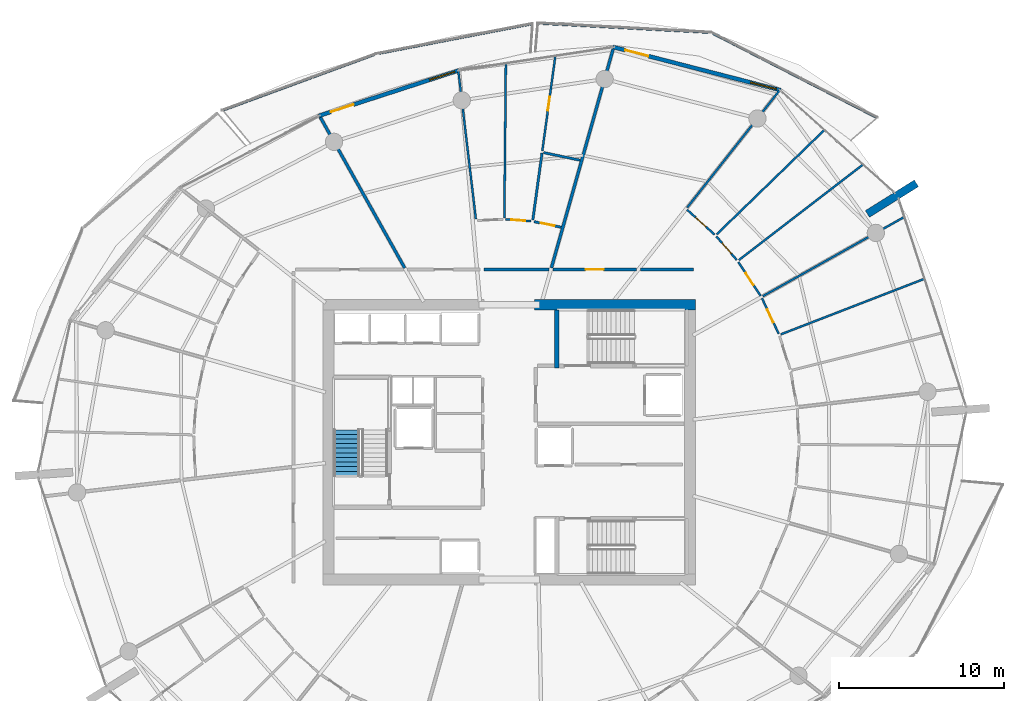
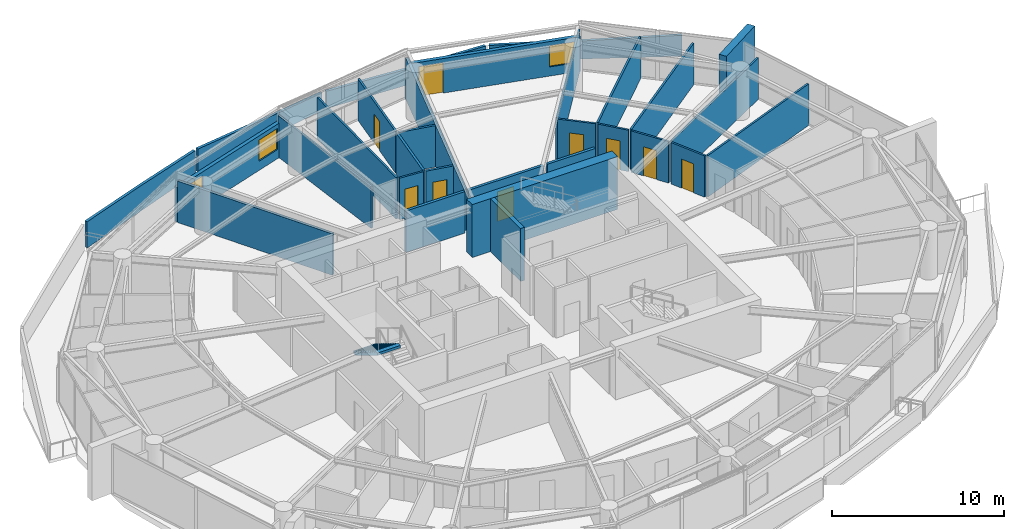
# One storey, part 15 of 21: 30 walls, 10 doors, 2 windows, 1 stair flight, 12 openings, 1 element without a shape of its own.
"""IFC4 building model written with IfcOpenShell, lengths in metres."""

from ifc_helpers import new_model, si_unit, direction, frame, frame_2d, origin, place, context, subcontext, project, spatial, polyline, rectangle, outline, extrude, material, layer, layer_set, type_object, element, fill, aggregate, save


model = new_model("IFC4")

# Units and contexts
model_context = context("Model", 3, precision=1e-05, world=origin(), true_north=direction((0.0, 1.0)))
body_context = subcontext(model_context, "Body", "Model", "MODEL_VIEW")
ifc_project = project(units=[si_unit("LENGTHUNIT", "METRE"), si_unit("AREAUNIT", "SQUARE_METRE"), si_unit("VOLUMEUNIT", "CUBIC_METRE"), si_unit("PLANEANGLEUNIT", "RADIAN"), si_unit("MASSUNIT", "GRAM", prefix="KILO")], contexts=[model_context])

# Site, building, storey
site_placement = place(None, origin())
site = spatial("IfcSite", under=ifc_project, at=site_placement, CompositionType="ELEMENT")
building_placement = place(site_placement, origin())
building = spatial("IfcBuilding", under=site, at=building_placement, Name="Kazma Halo Residences", CompositionType="ELEMENT")
storey_placement = place(building_placement, frame((0.0, 0.0, 176.550048828125)))
storey = spatial("IfcBuildingStorey", under=building, at=storey_placement, Name="L44", CompositionType="ELEMENT", Elevation=176.550048828125)

# Walls
ifc_material_1 = material(Name="White Concrete C50/60 Balustrade", Category="concrete")
ifc_layer_1 = layer(ifc_material_1, 0.179931640625)
ifc_layer_set_1 = layer_set([ifc_layer_1], Name="White Concrete C50/60 Balustrade")
wall_type_1 = type_object("IfcWallType", Name="WL-BAL-WAVE-180", PredefinedType="PARAPET", material=ifc_layer_set_1)
wall_1_placement = place(storey_placement, frame((70.725830078125, 61.65087890625, 0.0), z_axis=(0.0, 0.0, 1.0), x_axis=(-0.889659107665, 0.456625308266, 0.0)))
element("IfcWall", 1, at=wall_1_placement, inside=storey, type_object=wall_type_1, Name="L44 white wave balustrade wall NE.1", PredefinedType="PARAPET", context=body_context, shape_type="SweptSolid", body=[
    extrude(outline(polyline([(0.0, 0.0), (11.20751953125, 0.0), (11.20751953125, 1.14794921875), (5.603759765625, 1.283935546875), (0.0, 1.48291015625), (0.0, 0.0)])), frame((0.0, 0.08984375, 0.0), z_axis=(0.0, -1.0, 0.0), x_axis=(1.0, 0.0, 0.0)), (0.0, 0.0, 1.0), 0.179931640625),
])
wall_2_placement = place(storey_placement, frame((60.5283203125, 66.82958984375, 0.0), z_axis=(0.0, 0.0, 1.0), x_axis=(-0.998572477619, 0.053413546421, 0.0)))
element("IfcWall", 2, at=wall_2_placement, inside=storey, type_object=wall_type_1, Name="L44 white wave balustrade wall NE.2", PredefinedType="PARAPET", context=body_context, shape_type="SweptSolid", body=[
    extrude(outline(polyline([(0.0, 0.0), (10.389404296875, 0.0), (10.38916015625, 1.223876953125), (5.194580078125, 1.126953125), (0.0, 1.14794921875), (0.0, 0.0)])), frame((0.0, 0.08984375, 0.0), z_axis=(0.0, -1.0, 0.0), x_axis=(1.0, 0.0, 0.0)), (0.0, 0.0, 1.0), 0.179931640625),
])
wall_3_placement = place(storey_placement, frame((49.83935546875, 67.351318359375, 0.0), z_axis=(0.0, 0.0, 1.0), x_axis=(-0.981918699124, -0.189303112259, 0.0)))
element("IfcWall", 3, at=wall_3_placement, inside=storey, type_object=wall_type_1, Name="L44 white wave balustrade wall NNW.1", PredefinedType="PARAPET", context=body_context, shape_type="SweptSolid", body=[
    extrude(outline(polyline([(0.0, 0.0), (9.537109375, 0.0), (9.537109375, 1.6318359375), (4.7685546875, 1.41796875), (0.0, 1.23291015625), (0.0, 0.0)])), frame((0.0, 0.08984375, 0.0), z_axis=(0.0, -1.0, 0.0), x_axis=(1.0, 0.0, 0.0)), (0.0, 0.0, 1.0), 0.179931640625),
])
wall_4_placement = place(storey_placement, frame((40.244384765625, 65.481689453125, 0.0), z_axis=(0.0, 0.0, 1.0), x_axis=(-0.938669265972, -0.344818806214, 0.0)))
element("IfcWall", 4, at=wall_4_placement, inside=storey, type_object=wall_type_1, Name="L44 white wave balustrade wall NNW.2", PredefinedType="PARAPET", context=body_context, shape_type="SweptSolid", body=[
    extrude(outline(polyline([(0.0, 0.0), (9.802734375, 0.0), (9.802490234375, 1.85986328125), (4.9013671875, 1.7978515625), (0.0, 1.6318359375), (0.0, 0.0)])), frame((0.0, 0.08984375, 0.0), z_axis=(0.0, -1.0, 0.0), x_axis=(1.0, 0.0, 0.0)), (0.0, 0.0, 1.0), 0.179931640625),
])
ifc_material_2 = material(Name="Pale Concrete C60/75", Category="concrete")
ifc_layer_2 = layer(ifc_material_2, 0.47998046875)
ifc_layer_set_2 = layer_set([ifc_layer_2], Name="Pale Concrete C60/75")
wall_type_2 = type_object("IfcWallType", Name="WL-BLADE-480", PredefinedType="SOLIDWALL", material=ifc_layer_set_2)
wall_5_placement = place(storey_placement, frame((70.11376953125, 55.818115234375, 0.0), z_axis=(0.0, 0.0, 1.0), x_axis=(0.848033572426, 0.529942506352, 0.0)))
element("IfcWall", 5, at=wall_5_placement, inside=storey, type_object=wall_type_2, Name="L44 pale concrete structural blade fin wall BW-01", PredefinedType="SOLIDWALL", context=body_context, shape_type="SweptSolid", body=[
    extrude(rectangle(XDim=3.5, YDim=0.47998046875, at=frame_2d((1.75, 0.0))), origin(), (0.0, 0.0, 1.0), 3.75),
])
ifc_material_3 = material(Name="Concrete C60/75", Category="concrete")
ifc_layer_3 = layer(ifc_material_3, 0.64990234375)
ifc_layer_set_3 = layer_set([ifc_layer_3], Name="Concrete C60/75")
wall_type_3 = type_object("IfcWallType", Name="WL-CORE-650", PredefinedType="SHEAR", material=ifc_layer_set_3)
wall_6_placement = place(storey_placement, frame((49.949951171875, 50.324951171875, 0.0), z_axis=(0.0, 0.0, 1.0), x_axis=(1.0, 0.0, 0.0)))
element("IfcWall", 6, at=wall_6_placement, inside=storey, type_object=wall_type_3, Name="L44 central core shear wall NE", PredefinedType="SHEAR", context=body_context, shape_type="SweptSolid", body=[
    extrude(rectangle(XDim=9.75, YDim=0.64990234375, at=frame_2d((4.875, 0.0))), origin(), (0.0, 0.0, 1.0), 3.75),
])
ifc_layer_4 = layer(ifc_material_3, 0.280029296875)
ifc_layer_set_4 = layer_set([ifc_layer_4], Name="Concrete C60/75")
wall_type_4 = type_object("IfcWallType", Name="WL-CORE-ST-280", PredefinedType="SHEAR", material=ifc_layer_set_4)
wall_7_placement = place(storey_placement, frame((51.31005859375, 46.5, 0.0), z_axis=(0.0, 0.0, 1.0), x_axis=(0.0, 1.0, 0.0)))
element("IfcWall", 7, at=wall_7_placement, inside=storey, type_object=wall_type_4, Name="L44 stairwell bearing wall ST02-W", PredefinedType="SHEAR", context=body_context, shape_type="SweptSolid", body=[
    extrude(rectangle(XDim=3.5, YDim=0.280029296875, at=frame_2d((1.75, 0.0))), origin(), (0.0, 0.0, 1.0), 3.75),
])
ifc_material_4 = material(Name="Acoustic Twin-Stud Gypsum")
ifc_layer_5 = layer(ifc_material_4, 0.179931640625)
ifc_layer_set_5 = layer_set([ifc_layer_5], Name="Acoustic Twin-Stud Gypsum")
wall_type_5 = type_object("IfcWallType", Name="WL-DEM-180", PredefinedType="PARTITIONING", material=ifc_layer_set_5)
wall_8_placement = place(storey_placement, frame((50.97705078125, 52.555908203125, 0.0), z_axis=(0.0, 0.0, 1.0), x_axis=(0.271443307373, 0.962454430548, 0.0)))
element("IfcWall", 8, at=wall_8_placement, inside=storey, type_object=wall_type_5, Name="L44 apartment demising radial wall 02", PredefinedType="PARTITIONING", context=body_context, shape_type="SweptSolid", body=[
    extrude(rectangle(XDim=13.75927734375, YDim=0.179931640625, at=frame_2d((6.879638671875, 0.0))), origin(), (0.0, 0.0, 1.0), 2.93994140625),
])
wall_9_placement = place(storey_placement, frame((42.093994140625, 52.5458984375, 0.0), z_axis=(0.0, 0.0, 1.0), x_axis=(-0.488614041717, 0.872500039104, 0.0)))
element("IfcWall", 9, at=wall_9_placement, inside=storey, type_object=wall_type_5, Name="L44 apartment demising radial wall 04", PredefinedType="PARTITIONING", context=body_context, shape_type="SweptSolid", body=[
    extrude(rectangle(XDim=10.448486328125, YDim=0.179931640625, at=frame_2d((5.22412109375, 0.0))), origin(), (0.0, 0.0, 1.0), 2.93994140625),
])
wall_10_placement = place(storey_placement, frame((50.8271484375, 52.449951171875, 0.0), z_axis=(0.0, 0.0, 1.0), x_axis=(-1.0, 0.0, 0.0)))
element("IfcWall", 10, at=wall_10_placement, inside=storey, type_object=wall_type_5, Name="L44 Apartment 1 inner wall 2", PredefinedType="PARTITIONING", context=body_context, shape_type="SweptSolid", body=[
    extrude(rectangle(XDim=3.94384765625, YDim=0.179931640625, at=frame_2d((1.971923828125, 0.0))), origin(), (0.0, 0.0, 1.0), 2.93994140625),
])

# Wall, opening, door
wall_11_placement = place(storey_placement, frame((56.1181640625, 52.449951171875, 0.0), z_axis=(0.0, 0.0, 1.0), x_axis=(-1.0, 0.0, 0.0)))
wall_11 = element("IfcWall", 11, at=wall_11_placement, inside=storey, type_object=wall_type_5, Name="L44 Apartment 4 entrance corridor wall", PredefinedType="PARTITIONING", context=body_context, shape_type="SweptSolid", body=[
    extrude(rectangle(XDim=5.051025390625, YDim=0.179931640625, at=frame_2d((2.525390625, 0.0))), origin(), (0.0, 0.0, 1.0), 2.93994140625),
])
opening_1_placement = place(wall_11_placement, frame((1.975341796875, 0.0, 0.0)))
opening_1 = element("IfcOpeningElement", 12, at=opening_1_placement, cuts=wall_11, Name="Opening DA-1100", PredefinedType="OPENING", context=body_context, shape_type="SweptSolid", body=[
    extrude(rectangle(XDim=1.10009765625, YDim=2.10009765625, at=frame_2d((0.550048828125, 1.050048828125))), frame((0.0, 0.099853515625, 0.0), z_axis=(0.0, -1.0, 0.0), x_axis=(1.0, 0.0, 0.0)), (0.0, 0.0, 1.0), 0.199951171875),
])
ifc_material_5 = material(Name="Acoustic Walnut Fire Leaf")
door_type_1 = type_object("IfcDoorType", Name="DR-FD60-1100", OperationType="NOTDEFINED", PredefinedType="DOOR", material=ifc_material_5)
door_1_placement = place(opening_1_placement, origin())
door_1 = element("IfcDoor", 13, at=door_1_placement, inside=storey, type_object=door_type_1, Name="L44 Apartment 4 entrance fire door", OperationType="SINGLE_SWING_LEFT", OverallHeight=2.10009765625, OverallWidth=1.10009765625, PredefinedType="DOOR", context=body_context, shape_type="SweptSolid", body=[
    extrude(rectangle(XDim=1.10009765625, YDim=2.10009765625, at=frame_2d((0.550048828125, 1.050048828125))), frame((0.0, 0.02490234375, 0.0), z_axis=(0.0, -1.0, 0.0), x_axis=(1.0, 0.0, 0.0)), (0.0, 0.0, 1.0), 0.050048828125),
])
fill(opening_1, door_1)

# Wall
wall_12_placement = place(storey_placement, frame((59.580078125, 52.449951171875, 0.0), z_axis=(0.0, 0.0, 1.0), x_axis=(-1.0, 0.0, 0.0)))
element("IfcWall", 14, at=wall_12_placement, inside=storey, type_object=wall_type_5, Name="L44 Apartment 4 inner wall 0", PredefinedType="PARTITIONING", context=body_context, shape_type="SweptSolid", body=[
    extrude(rectangle(XDim=3.221923828125, YDim=0.179931640625, at=frame_2d((1.61083984375, 0.0))), origin(), (0.0, 0.0, 1.0), 2.93994140625),
])

# Wall, openings, door, window
ifc_material_6 = material(Name="Insulated Pale-Metal Composite Wall")
ifc_layer_6 = layer(ifc_material_6, 0.239990234375)
ifc_layer_set_6 = layer_set([ifc_layer_6], Name="Insulated Pale-Metal Composite Wall")
wall_type_6 = type_object("IfcWallType", Name="WL-EXT-HOST-240", PredefinedType="SOLIDWALL", material=ifc_layer_set_6)
wall_13_placement = place(storey_placement, frame((64.860107421875, 63.31298828125, 0.0), z_axis=(0.0, 0.0, 1.0), x_axis=(-0.968374028006, 0.249502989727, 0.0)))
wall_13 = element("IfcWall", 15, at=wall_13_placement, inside=storey, type_object=wall_type_6, Name="L44 exterior terrace-access wall B02", PredefinedType="SOLIDWALL", context=body_context, shape_type="SweptSolid", body=[
    extrude(rectangle(XDim=10.494384765625, YDim=0.239990234375, at=frame_2d((5.2470703125, 0.0))), origin(), (0.0, 0.0, 1.0), 2.449951171875),
])
opening_2_placement = place(wall_13_placement, frame((8.2744140625, 0.0, 0.0)))
opening_2 = element("IfcOpeningElement", 16, at=opening_2_placement, cuts=wall_13, Name="Opening DTR-1600", PredefinedType="OPENING", context=body_context, shape_type="SweptSolid", body=[
    extrude(rectangle(XDim=1.449951171875, YDim=2.14990234375, at=frame_2d((0.72509765625, 1.074951171875))), frame((0.0, 0.1298828125, 0.0), z_axis=(0.0, -1.0, 0.0), x_axis=(1.0, 0.0, 0.0)), (0.0, 0.0, 1.0), 0.260009765625),
])
opening_3_placement = place(wall_13_placement, frame((0.280029296875, 0.0, 0.64990234375)))
opening_3 = element("IfcOpeningElement", 17, at=opening_3_placement, cuts=wall_13, Name="Opening W-1800", PredefinedType="OPENING", context=body_context, shape_type="SweptSolid", body=[
    extrude(rectangle(XDim=1.60009765625, YDim=1.5, at=frame_2d((0.800048828125, 0.75))), frame((0.0, 0.1298828125, 0.0), z_axis=(0.0, -1.0, 0.0), x_axis=(1.0, 0.0, 0.0)), (0.0, 0.0, 1.0), 0.260009765625),
])
ifc_material_7 = material(Name="Aluminium AW-6063 T6 Double-Glazed Terrace Door", Category="aluminium")
door_type_2 = type_object("IfcDoorType", Name="DR-EXT-TERR-1600", OperationType="NOTDEFINED", PredefinedType="DOOR", material=ifc_material_7)
door_2_placement = place(opening_2_placement, origin())
door_2 = element("IfcDoor", 18, at=door_2_placement, inside=storey, type_object=door_type_2, Name="L44 B02 balcony terrace door", OperationType="DOUBLE_DOOR_SLIDING", OverallHeight=2.14990234375, OverallWidth=1.449951171875, PredefinedType="DOOR", context=body_context, shape_type="SweptSolid", body=[
    extrude(rectangle(XDim=1.449951171875, YDim=2.14990234375, at=frame_2d((0.72509765625, 1.074951171875))), frame((0.0, 0.02490234375, 0.0), z_axis=(0.0, -1.0, 0.0), x_axis=(1.0, 0.0, 0.0)), (0.0, 0.0, 1.0), 0.050048828125),
])
fill(opening_2, door_2)
ifc_material_8 = material(Name="Clear Triple-Silver Low-E Glass in Aluminium AW-6063 T6 Frame", Category="aluminium")
window_type = type_object("IfcWindowType", Name="WIN-RES-1800", PartitioningType="DOUBLE_PANEL_VERTICAL", PredefinedType="WINDOW", material=ifc_material_8)
window_1_placement = place(opening_3_placement, origin())
window_1 = element("IfcWindow", 19, at=window_1_placement, inside=storey, type_object=window_type, Name="L44 B02 apartment window", OverallHeight=1.5, OverallWidth=1.60009765625, PartitioningType="SINGLE_PANEL", PredefinedType="WINDOW", context=body_context, shape_type="SweptSolid", body=[
    extrude(rectangle(XDim=1.60009765625, YDim=1.5, at=frame_2d((0.800048828125, 0.75))), frame((0.0, 0.030029296875, 0.0), z_axis=(0.0, -1.0, 0.0), x_axis=(1.0, 0.0, 0.0)), (0.0, 0.0, 1.0), 0.06005859375),
])
fill(opening_3, window_1)

wall_14_placement = place(storey_placement, frame((45.38427734375, 64.518798828125, 0.0), z_axis=(0.0, 0.0, 1.0), x_axis=(-0.951058543936, -0.309010753869, 0.0)))
wall_14 = element("IfcWall", 20, at=wall_14_placement, inside=storey, type_object=wall_type_6, Name="L44 exterior terrace-access wall B04", PredefinedType="SOLIDWALL", context=body_context, shape_type="SweptSolid", body=[
    extrude(rectangle(XDim=8.942138671875, YDim=0.239990234375, at=frame_2d((4.47119140625, 0.0))), origin(), (0.0, 0.0, 1.0), 2.449951171875),
])
opening_4_placement = place(wall_14_placement, frame((6.721923828125, 0.0, 0.0)))
opening_4 = element("IfcOpeningElement", 21, at=opening_4_placement, cuts=wall_14, Name="Opening DTR-1600", PredefinedType="OPENING", context=body_context, shape_type="SweptSolid", body=[
    extrude(rectangle(XDim=1.449951171875, YDim=2.14990234375, at=frame_2d((0.72509765625, 1.074951171875))), frame((0.0, 0.1298828125, 0.0), z_axis=(0.0, -1.0, 0.0), x_axis=(1.0, 0.0, 0.0)), (0.0, 0.0, 1.0), 0.260009765625),
])
opening_5_placement = place(wall_14_placement, frame((0.280029296875, 0.0, 0.64990234375)))
opening_5 = element("IfcOpeningElement", 22, at=opening_5_placement, cuts=wall_14, Name="Opening W-1800", PredefinedType="OPENING", context=body_context, shape_type="SweptSolid", body=[
    extrude(rectangle(XDim=1.60009765625, YDim=1.5, at=frame_2d((0.800048828125, 0.75))), frame((0.0, 0.1298828125, 0.0), z_axis=(0.0, -1.0, 0.0), x_axis=(1.0, 0.0, 0.0)), (0.0, 0.0, 1.0), 0.260009765625),
])
door_3_placement = place(opening_4_placement, origin())
door_3 = element("IfcDoor", 23, at=door_3_placement, inside=storey, type_object=door_type_2, Name="L44 B04 balcony terrace door", OperationType="DOUBLE_DOOR_SLIDING", OverallHeight=2.14990234375, OverallWidth=1.449951171875, PredefinedType="DOOR", context=body_context, shape_type="SweptSolid", body=[
    extrude(rectangle(XDim=1.449951171875, YDim=2.14990234375, at=frame_2d((0.72509765625, 1.074951171875))), frame((0.0, 0.02490234375, 0.0), z_axis=(0.0, -1.0, 0.0), x_axis=(1.0, 0.0, 0.0)), (0.0, 0.0, 1.0), 0.050048828125),
])
fill(opening_4, door_3)
window_2_placement = place(opening_5_placement, origin())
window_2 = element("IfcWindow", 24, at=window_2_placement, inside=storey, type_object=window_type, Name="L44 B04 apartment window", OverallHeight=1.5, OverallWidth=1.60009765625, PartitioningType="SINGLE_PANEL", PredefinedType="WINDOW", context=body_context, shape_type="SweptSolid", body=[
    extrude(rectangle(XDim=1.60009765625, YDim=1.5, at=frame_2d((0.800048828125, 0.75))), frame((0.0, 0.030029296875, 0.0), z_axis=(0.0, -1.0, 0.0), x_axis=(1.0, 0.0, 0.0)), (0.0, 0.0, 1.0), 0.06005859375),
])
fill(opening_5, window_2)

# Wall
ifc_material_9 = material(Name="Gypsum Plasterboard Partition")
ifc_layer_7 = layer(ifc_material_9, 0.125)
ifc_layer_set_7 = layer_set([ifc_layer_7], Name="Gypsum Plasterboard Partition")
wall_type_7 = type_object("IfcWallType", Name="WL-PART-125", PredefinedType="PARTITIONING", material=ifc_layer_set_7)
wall_15_placement = place(storey_placement, frame((46.40185546875, 55.502685546875, 0.0), z_axis=(0.0, 0.0, 1.0), x_axis=(-0.117526089467, 0.993069795279, 0.0)))
element("IfcWall", 25, at=wall_15_placement, inside=storey, type_object=wall_type_7, Name="L44 Apartment 1 living radial partition 2", PredefinedType="PARTITIONING", context=body_context, shape_type="SweptSolid", body=[
    extrude(rectangle(XDim=9.03857421875, YDim=0.125, at=frame_2d((4.519287109375, 0.0))), origin(), (0.0, 0.0, 1.0), 2.93994140625),
])

# Wall, opening, door
wall_16_placement = place(storey_placement, frame((50.426025390625, 59.64111328125, 0.0), z_axis=(0.0, 0.0, 1.0), x_axis=(0.136229748486, 0.990677271177, 0.0)))
wall_16 = element("IfcWall", 26, at=wall_16_placement, inside=storey, type_object=wall_type_7, Name="L44 Apartment 1 Household Store Room partition wall", PredefinedType="PARTITIONING", context=body_context, shape_type="SweptSolid", body=[
    extrude(rectangle(XDim=5.776123046875, YDim=0.125, at=frame_2d((2.88818359375, 0.0))), origin(), (0.0, 0.0, 1.0), 2.93994140625),
])
opening_6_placement = place(wall_16_placement, frame((2.462890625, 0.0, 0.0)))
opening_6 = element("IfcOpeningElement", 27, at=opening_6_placement, cuts=wall_16, Name="Opening DB-900", PredefinedType="OPENING", context=body_context, shape_type="SweptSolid", body=[
    extrude(rectangle(XDim=0.85009765625, YDim=2.06005859375, at=frame_2d((0.425048828125, 1.030029296875))), frame((0.0, 0.072509765625, 0.0), z_axis=(0.0, -1.0, 0.0), x_axis=(1.0, 0.0, 0.0)), (0.0, 0.0, 1.0), 0.14501953125),
])
ifc_material_10 = material(Name="Moisture-Sealed Timber Leaf", Category="wood")
door_type_3 = type_object("IfcDoorType", Name="DR-BTH-900", OperationType="NOTDEFINED", PredefinedType="DOOR", material=ifc_material_10)
door_4_placement = place(opening_6_placement, origin())
door_4 = element("IfcDoor", 28, at=door_4_placement, inside=storey, type_object=door_type_3, Name="L44 Apartment 1 Household Store Room door", OperationType="SINGLE_SWING_RIGHT", OverallHeight=2.06005859375, OverallWidth=0.85009765625, PredefinedType="DOOR", context=body_context, shape_type="SweptSolid", body=[
    extrude(rectangle(XDim=0.85009765625, YDim=2.06005859375, at=frame_2d((0.425048828125, 1.030029296875))), frame((0.0, 0.02490234375, 0.0), z_axis=(0.0, -1.0, 0.0), x_axis=(1.0, 0.0, 0.0)), (0.0, 0.0, 1.0), 0.050048828125),
])
fill(opening_6, door_4)

# Wall
wall_17_placement = place(storey_placement, frame((48.1279296875, 55.58642578125, 0.0), z_axis=(0.0, 0.0, 1.0), x_axis=(0.009424652092, 0.99995558698, 0.0)))
element("IfcWall", 29, at=wall_17_placement, inside=storey, type_object=wall_type_7, Name="L44 Apartment 1 suite divider 2", PredefinedType="PARTITIONING", context=body_context, shape_type="SweptSolid", body=[
    extrude(rectangle(XDim=9.32568359375, YDim=0.125, at=frame_2d((4.662841796875, 0.0))), origin(), (0.0, 0.0, 1.0), 2.93994140625),
])

# Wall, opening, door
wall_18_placement = place(storey_placement, frame((49.7490234375, 55.377685546875, 0.0), z_axis=(0.0, 0.0, 1.0), x_axis=(-0.997335405168, 0.072952653133, 0.0)))
wall_18 = element("IfcWall", 30, at=wall_18_placement, inside=storey, type_object=wall_type_7, Name="L44 Apartment 1 Gourmet Kitchen hall wall", PredefinedType="PARTITIONING", context=body_context, shape_type="SweptSolid", body=[
    extrude(rectangle(XDim=1.546142578125, YDim=0.125, at=frame_2d((0.77294921875, 0.0))), origin(), (0.0, 0.0, 1.0), 2.93994140625),
])
opening_7_placement = place(wall_18_placement, frame((0.34814453125, 0.0, 0.0)))
opening_7 = element("IfcOpeningElement", 31, at=opening_7_placement, cuts=wall_18, Name="Opening DB-900", PredefinedType="OPENING", context=body_context, shape_type="SweptSolid", body=[
    extrude(rectangle(XDim=0.85009765625, YDim=2.06005859375, at=frame_2d((0.425048828125, 1.030029296875))), frame((0.0, 0.072509765625, 0.0), z_axis=(0.0, -1.0, 0.0), x_axis=(1.0, 0.0, 0.0)), (0.0, 0.0, 1.0), 0.14501953125),
])
door_5_placement = place(opening_7_placement, origin())
door_5 = element("IfcDoor", 32, at=door_5_placement, inside=storey, type_object=door_type_3, Name="L44 Apartment 1 Gourmet Kitchen door", OperationType="SINGLE_SWING_LEFT", OverallHeight=2.06005859375, OverallWidth=0.85009765625, PredefinedType="DOOR", context=body_context, shape_type="SweptSolid", body=[
    extrude(rectangle(XDim=0.85009765625, YDim=2.06005859375, at=frame_2d((0.425048828125, 1.030029296875))), frame((0.0, 0.02490234375, 0.0), z_axis=(0.0, -1.0, 0.0), x_axis=(1.0, 0.0, 0.0)), (0.0, 0.0, 1.0), 0.050048828125),
])
fill(opening_7, door_5)

# Wall
wall_19_placement = place(storey_placement, frame((64.859375, 48.5224609375, 0.0), z_axis=(0.0, 0.0, 1.0), x_axis=(0.93264258635, 0.360801616025, 0.0)))
element("IfcWall", 33, at=wall_19_placement, inside=storey, type_object=wall_type_7, Name="L44 Apartment 4 bay wall 2 15", PredefinedType="PARTITIONING", context=body_context, shape_type="SweptSolid", body=[
    extrude(rectangle(XDim=9.322998046875, YDim=0.125, at=frame_2d((4.66162109375, 0.0))), origin(), (0.0, 0.0, 1.0), 2.93994140625),
])

# Wall, opening, door
wall_20_placement = place(storey_placement, frame((64.7412109375, 48.562255859375, 0.0), z_axis=(0.0, 0.0, 1.0), x_axis=(-0.425713071605, 0.904858210255, 0.0)))
wall_20 = element("IfcWall", 34, at=wall_20_placement, inside=storey, type_object=wall_type_7, Name="L44 Apartment 4 Gulf Bedroom hall wall", PredefinedType="PARTITIONING", context=body_context, shape_type="SweptSolid", body=[
    extrude(rectangle(XDim=2.380615234375, YDim=0.125, at=frame_2d((1.1904296875, 0.0))), origin(), (0.0, 0.0, 1.0), 2.93994140625),
])
opening_8_placement = place(wall_20_placement, frame((0.765380859375, 0.0, 0.0)))
opening_8 = element("IfcOpeningElement", 35, at=opening_8_placement, cuts=wall_20, Name="Opening DB-900", PredefinedType="OPENING", context=body_context, shape_type="SweptSolid", body=[
    extrude(rectangle(XDim=0.85009765625, YDim=2.06005859375, at=frame_2d((0.425048828125, 1.030029296875))), frame((0.0, 0.072509765625, 0.0), z_axis=(0.0, -1.0, 0.0), x_axis=(1.0, 0.0, 0.0)), (0.0, 0.0, 1.0), 0.14501953125),
])
door_6_placement = place(opening_8_placement, origin())
door_6 = element("IfcDoor", 36, at=door_6_placement, inside=storey, type_object=door_type_3, Name="L44 Apartment 4 Gulf Bedroom door", OperationType="SINGLE_SWING_LEFT", OverallHeight=2.06005859375, OverallWidth=0.85009765625, PredefinedType="DOOR", context=body_context, shape_type="SweptSolid", body=[
    extrude(rectangle(XDim=0.85009765625, YDim=2.06005859375, at=frame_2d((0.425048828125, 1.030029296875))), frame((0.0, 0.02490234375, 0.0), z_axis=(0.0, -1.0, 0.0), x_axis=(1.0, 0.0, 0.0)), (0.0, 0.0, 1.0), 0.050048828125),
])
fill(opening_8, door_6)

# Walls
wall_21_placement = place(storey_placement, frame((63.78076171875, 50.837646484375, 0.0), z_axis=(0.0, 0.0, 1.0), x_axis=(0.87249667769, 0.488620044022, 0.0)))
element("IfcWall", 37, at=wall_21_placement, inside=storey, type_object=wall_type_7, Name="L44 Apartment 4 radial partition 0", PredefinedType="PARTITIONING", context=body_context, shape_type="SweptSolid", body=[
    extrude(rectangle(XDim=9.80810546875, YDim=0.125, at=frame_2d((4.904052734375, 0.0))), origin(), (0.0, 0.0, 1.0), 2.93994140625),
])
wall_22_placement = place(storey_placement, frame((59.197509765625, 56.2041015625, 0.0), z_axis=(0.0, 0.0, 1.0), x_axis=(0.619095305497, 0.785315861747, 0.0)))
element("IfcWall", 38, at=wall_22_placement, inside=storey, type_object=wall_type_7, Name="L44 Apartment 4 living radial partition 0", PredefinedType="PARTITIONING", context=body_context, shape_type="SweptSolid", body=[
    extrude(rectangle(XDim=9.043212890625, YDim=0.125, at=frame_2d((4.521484375, 0.0))), origin(), (0.0, 0.0, 1.0), 2.93994140625),
])
wall_23_placement = place(storey_placement, frame((62.326904296875, 53.0234375, 0.0), z_axis=(0.0, 0.0, 1.0), x_axis=(0.79256451764, 0.609788065952, 0.0)))
element("IfcWall", 39, at=wall_23_placement, inside=storey, type_object=wall_type_7, Name="L44 Apartment 4 bay wall 1 0", PredefinedType="PARTITIONING", context=body_context, shape_type="SweptSolid", body=[
    extrude(rectangle(XDim=9.46240234375, YDim=0.125, at=frame_2d((4.731201171875, 0.0))), origin(), (0.0, 0.0, 1.0), 2.93994140625),
])
wall_24_placement = place(storey_placement, frame((60.9814453125, 54.580078125, 0.0), z_axis=(0.0, 0.0, 1.0), x_axis=(0.718129589359, 0.695909399912, 0.0)))
element("IfcWall", 40, at=wall_24_placement, inside=storey, type_object=wall_type_7, Name="L44 Apartment 4 bay wall 2 0", PredefinedType="PARTITIONING", context=body_context, shape_type="SweptSolid", body=[
    extrude(rectangle(XDim=9.064453125, YDim=0.125, at=frame_2d((4.5322265625, 0.0))), origin(), (0.0, 0.0, 1.0), 2.93994140625),
])

# Wall, opening, door
wall_25_placement = place(storey_placement, frame((63.6494140625, 50.855712890625, 0.0), z_axis=(0.0, 0.0, 1.0), x_axis=(-0.550647912311, 0.834737609472, 0.0)))
wall_25 = element("IfcWall", 41, at=wall_25_placement, inside=storey, type_object=wall_type_7, Name="L44 Apartment 4 Primary Bedroom hall wall", PredefinedType="PARTITIONING", context=body_context, shape_type="SweptSolid", body=[
    extrude(rectangle(XDim=2.450927734375, YDim=0.125, at=frame_2d((1.2255859375, 0.0))), origin(), (0.0, 0.0, 1.0), 2.93994140625),
])
opening_9_placement = place(wall_25_placement, frame((0.800537109375, 0.0, 0.0)))
opening_9 = element("IfcOpeningElement", 42, at=opening_9_placement, cuts=wall_25, Name="Opening DB-900", PredefinedType="OPENING", context=body_context, shape_type="SweptSolid", body=[
    extrude(rectangle(XDim=0.85009765625, YDim=2.06005859375, at=frame_2d((0.425048828125, 1.030029296875))), frame((0.0, 0.072509765625, 0.0), z_axis=(0.0, -1.0, 0.0), x_axis=(1.0, 0.0, 0.0)), (0.0, 0.0, 1.0), 0.14501953125),
])
door_7_placement = place(opening_9_placement, origin())
door_7 = element("IfcDoor", 43, at=door_7_placement, inside=storey, type_object=door_type_3, Name="L44 Apartment 4 Primary Bedroom door", OperationType="SINGLE_SWING_RIGHT", OverallHeight=2.06005859375, OverallWidth=0.85009765625, PredefinedType="DOOR", context=body_context, shape_type="SweptSolid", body=[
    extrude(rectangle(XDim=0.85009765625, YDim=2.06005859375, at=frame_2d((0.425048828125, 1.030029296875))), frame((0.0, 0.02490234375, 0.0), z_axis=(0.0, -1.0, 0.0), x_axis=(1.0, 0.0, 0.0)), (0.0, 0.0, 1.0), 0.050048828125),
])
fill(opening_9, door_7)

wall_26_placement = place(storey_placement, frame((62.203369140625, 53.029052734375, 0.0), z_axis=(0.0, 0.0, 1.0), x_axis=(-0.653949885252, 0.75653786923, 0.0)))
wall_26 = element("IfcWall", 44, at=wall_26_placement, inside=storey, type_object=wall_type_7, Name="L44 Apartment 4 Secondary Study hall wall", PredefinedType="PARTITIONING", context=body_context, shape_type="SweptSolid", body=[
    extrude(rectangle(XDim=1.88720703125, YDim=0.125, at=frame_2d((0.943603515625, 0.0))), origin(), (0.0, 0.0, 1.0), 2.93994140625),
])
opening_10_placement = place(wall_26_placement, frame((0.518798828125, 0.0, 0.0)))
opening_10 = element("IfcOpeningElement", 45, at=opening_10_placement, cuts=wall_26, Name="Opening DB-900", PredefinedType="OPENING", context=body_context, shape_type="SweptSolid", body=[
    extrude(rectangle(XDim=0.85009765625, YDim=2.06005859375, at=frame_2d((0.425048828125, 1.030029296875))), frame((0.0, 0.072509765625, 0.0), z_axis=(0.0, -1.0, 0.0), x_axis=(1.0, 0.0, 0.0)), (0.0, 0.0, 1.0), 0.14501953125),
])
door_8_placement = place(opening_10_placement, origin())
door_8 = element("IfcDoor", 46, at=door_8_placement, inside=storey, type_object=door_type_3, Name="L44 Apartment 4 Secondary Study door", OperationType="SINGLE_SWING_LEFT", OverallHeight=2.06005859375, OverallWidth=0.85009765625, PredefinedType="DOOR", context=body_context, shape_type="SweptSolid", body=[
    extrude(rectangle(XDim=0.85009765625, YDim=2.06005859375, at=frame_2d((0.425048828125, 1.030029296875))), frame((0.0, 0.02490234375, 0.0), z_axis=(0.0, -1.0, 0.0), x_axis=(1.0, 0.0, 0.0)), (0.0, 0.0, 1.0), 0.050048828125),
])
fill(opening_10, door_8)

wall_27_placement = place(storey_placement, frame((60.857421875, 54.571044921875, 0.0), z_axis=(0.0, 0.0, 1.0), x_axis=(-0.742214573282, 0.670162314076, 0.0)))
wall_27 = element("IfcWall", 47, at=wall_27_placement, inside=storey, type_object=wall_type_7, Name="L44 Apartment 4 East Bedroom hall wall", PredefinedType="PARTITIONING", context=body_context, shape_type="SweptSolid", body=[
    extrude(rectangle(XDim=2.23974609375, YDim=0.125, at=frame_2d((1.119873046875, 0.0))), origin(), (0.0, 0.0, 1.0), 2.93994140625),
])
opening_11_placement = place(wall_27_placement, frame((0.69482421875, 0.0, 0.0)))
opening_11 = element("IfcOpeningElement", 48, at=opening_11_placement, cuts=wall_27, Name="Opening DB-900", PredefinedType="OPENING", context=body_context, shape_type="SweptSolid", body=[
    extrude(rectangle(XDim=0.85009765625, YDim=2.06005859375, at=frame_2d((0.425048828125, 1.030029296875))), frame((0.0, 0.072509765625, 0.0), z_axis=(0.0, -1.0, 0.0), x_axis=(1.0, 0.0, 0.0)), (0.0, 0.0, 1.0), 0.14501953125),
])
door_9_placement = place(opening_11_placement, origin())
door_9 = element("IfcDoor", 49, at=door_9_placement, inside=storey, type_object=door_type_3, Name="L44 Apartment 4 East Bedroom door", OperationType="SINGLE_SWING_RIGHT", OverallHeight=2.06005859375, OverallWidth=0.85009765625, PredefinedType="DOOR", context=body_context, shape_type="SweptSolid", body=[
    extrude(rectangle(XDim=0.85009765625, YDim=2.06005859375, at=frame_2d((0.425048828125, 1.030029296875))), frame((0.0, 0.02490234375, 0.0), z_axis=(0.0, -1.0, 0.0), x_axis=(1.0, 0.0, 0.0)), (0.0, 0.0, 1.0), 0.050048828125),
])
fill(opening_11, door_9)

ifc_material_11 = material(Name="Moisture-Resistant Gypsum")
ifc_layer_8 = layer(ifc_material_11, 0.14990234375)
ifc_layer_set_8 = layer_set([ifc_layer_8], Name="Moisture-Resistant Gypsum")
wall_type_8 = type_object("IfcWallType", Name="WL-WET-150", PredefinedType="PARTITIONING", material=ifc_layer_set_8)
wall_28_placement = place(storey_placement, frame((51.565673828125, 55.0107421875, 0.0), z_axis=(0.0, 0.0, 1.0), x_axis=(-0.978902694913, 0.204326977886, 0.0)))
wall_28 = element("IfcWall", 50, at=wall_28_placement, inside=storey, type_object=wall_type_8, Name="L44 Apartment 1 Guest Bathroom hall wall", PredefinedType="PARTITIONING", context=body_context, shape_type="SweptSolid", body=[
    extrude(rectangle(XDim=1.674072265625, YDim=0.14990234375, at=frame_2d((0.8369140625, 0.0))), origin(), (0.0, 0.0, 1.0), 2.93994140625),
])
opening_12_placement = place(wall_28_placement, frame((0.412109375, 0.0, 0.0)))
opening_12 = element("IfcOpeningElement", 51, at=opening_12_placement, cuts=wall_28, Name="Opening DB-900", PredefinedType="OPENING", context=body_context, shape_type="SweptSolid", body=[
    extrude(rectangle(XDim=0.85009765625, YDim=2.06005859375, at=frame_2d((0.425048828125, 1.030029296875))), frame((0.0, 0.0849609375, 0.0), z_axis=(0.0, -1.0, 0.0), x_axis=(1.0, 0.0, 0.0)), (0.0, 0.0, 1.0), 0.169921875),
])
door_10_placement = place(opening_12_placement, origin())
door_10 = element("IfcDoor", 52, at=door_10_placement, inside=storey, type_object=door_type_3, Name="L44 Apartment 1 Guest Bathroom door", OperationType="SINGLE_SWING_LEFT", OverallHeight=2.06005859375, OverallWidth=0.85009765625, PredefinedType="DOOR", context=body_context, shape_type="SweptSolid", body=[
    extrude(rectangle(XDim=0.85009765625, YDim=2.06005859375, at=frame_2d((0.425048828125, 1.030029296875))), frame((0.0, 0.02490234375, 0.0), z_axis=(0.0, -1.0, 0.0), x_axis=(1.0, 0.0, 0.0)), (0.0, 0.0, 1.0), 0.050048828125),
])
fill(opening_12, door_10)

# Walls
wall_29_placement = place(storey_placement, frame((52.711181640625, 59.072265625, 0.0), z_axis=(0.0, 0.0, 1.0), x_axis=(-0.978902959225, 0.2043257116, 0.0)))
element("IfcWall", 53, at=wall_29_placement, inside=storey, type_object=wall_type_8, Name="L44 Apartment 1 Guest Bathroom back wall", PredefinedType="PARTITIONING", context=body_context, shape_type="SweptSolid", body=[
    extrude(rectangle(XDim=2.257080078125, YDim=0.14990234375, at=frame_2d((1.12841796875, 0.0))), origin(), (0.0, 0.0, 1.0), 2.93994140625),
])
wall_30_placement = place(storey_placement, frame((49.85107421875, 55.46044921875, 0.0), z_axis=(0.0, 0.0, 1.0), x_axis=(0.136221269786, 0.990678437061, 0.0)))
element("IfcWall", 54, at=wall_30_placement, inside=storey, type_object=wall_type_8, Name="L44 Apartment 1 Guest Bathroom side wall", PredefinedType="PARTITIONING", context=body_context, shape_type="SweptSolid", body=[
    extrude(rectangle(XDim=4.08984375, YDim=0.14990234375, at=frame_2d((2.044921875, 0.0))), origin(), (0.0, 0.0, 1.0), 2.93994140625),
])

# Stair, stair flight
ifc_material_12 = material(Name="Concrete C50/60", Category="concrete")
stair_type = type_object("IfcStairType", Name="STR-RES1", PredefinedType="HALF_TURN_STAIR", material=ifc_material_12)
stair_placement = place(storey_placement, origin())
stair = element("IfcStair", 55, at=stair_placement, inside=storey, type_object=stair_type, Name="L44 Core exit stair ST-01", PredefinedType="HALF_TURN_STAIR")
stair_flight_type = type_object("IfcStairFlightType", Name="STR-RES1-FLT", PredefinedType="STRAIGHT", material=ifc_material_12)
stair_flight_placement = place(storey_placement, frame((38.574951171875, 42.75, 1.875), z_axis=(0.0, 0.0, 1.0), x_axis=(0.0, -1.0, 0.0)))
stair_flight = element("IfcStairFlight", 56, at=stair_flight_placement, type_object=stair_flight_type, Name="ST-01 flight 2", NumberOfRisers=11, NumberOfTreads=10, PredefinedType="STRAIGHT", RiserHeight=0.170454545, TreadLength=0.28, context=body_context, shape_type="SweptSolid", body=[
    extrude(outline(polyline([(0.0, 0.0), (0.0, 0.17041015625), (0.280029296875, 0.17041015625), (0.280029296875, 0.3408203125), (0.56005859375, 0.3408203125), (0.56005859375, 0.511474609375), (0.840087890625, 0.511474609375), (0.840087890625, 0.681884765625), (1.1201171875, 0.681884765625), (1.1201171875, 0.852294921875), (1.39990234375, 0.852294921875), (1.39990234375, 1.022705078125), (1.679931640625, 1.022705078125), (1.679931640625, 1.193115234375), (1.9599609375, 1.193115234375), (1.9599609375, 1.363525390625), (2.239990234375, 1.363525390625), (2.239990234375, 1.5341796875), (2.52001953125, 1.5341796875), (2.52001953125, 1.70458984375), (2.800048828125, 1.70458984375), (2.800048828125, 1.875), (2.800048828125, 1.529052734375), (0.288330078125, 0.0), (0.0, 0.0)])), frame((0.0, 0.77490234375, 0.0), z_axis=(0.0, -1.0, 0.0), x_axis=(1.0, 0.0, 0.0)), (0.0, 0.0, 1.0), 1.550048828125),
])
aggregate(stair, [stair_flight])

save(model, "model.ifc")
